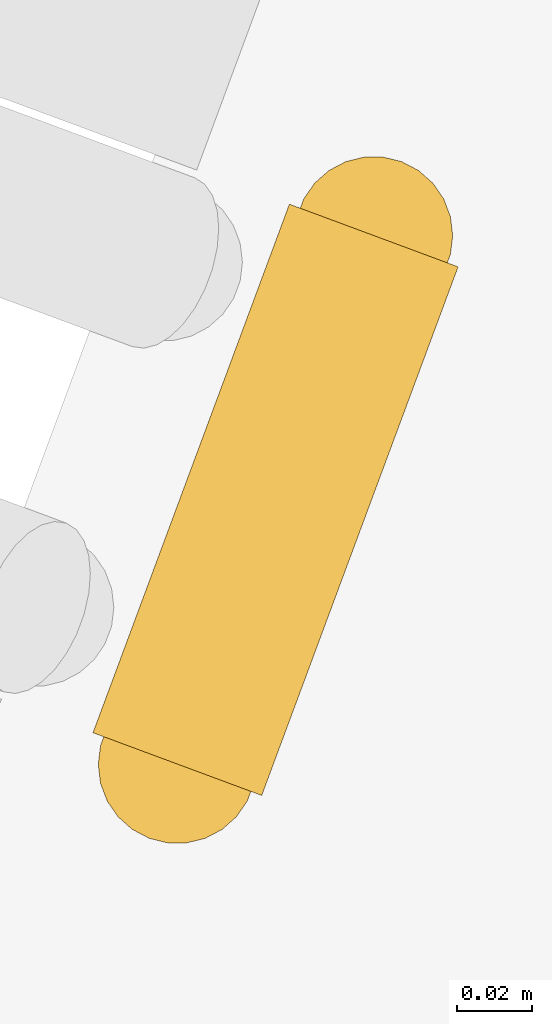
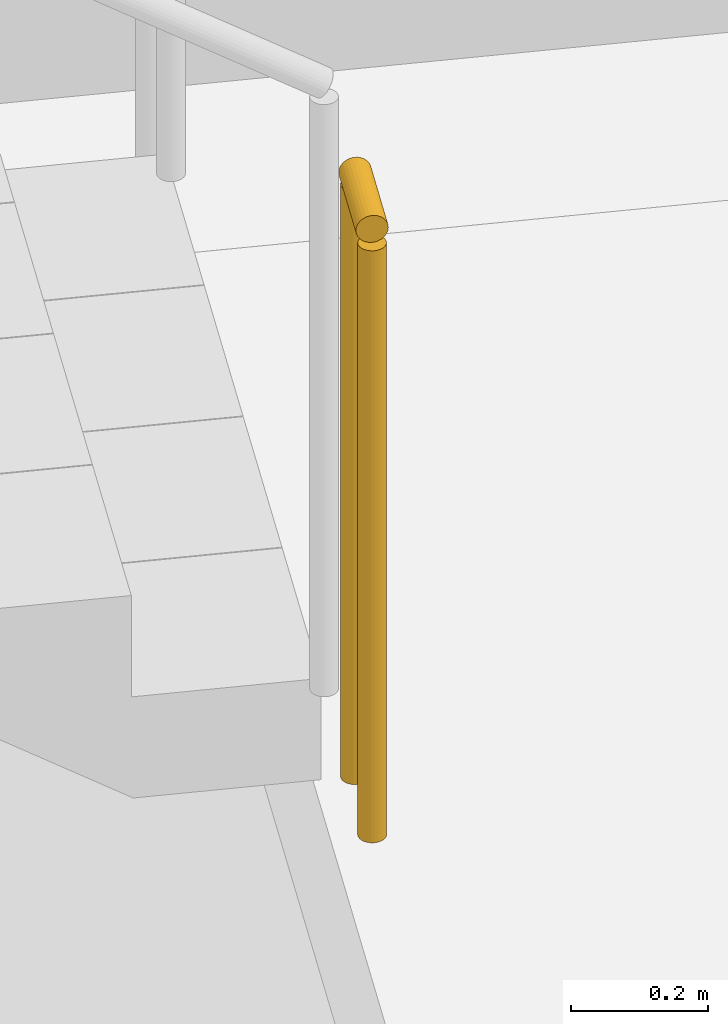
# One storey, part 12 of 20: 1 railing.
"""IFC4 building model written with IfcOpenShell, lengths in metres."""

from ifc_helpers import new_model, si_unit, direction, frame, origin, origin_2d, place, context, subcontext, project, spatial, circle, extrude, material, type_object, element, save


model = new_model("IFC4")

# Units and contexts
model_context = context("Model", 3, precision=1e-05, world=origin(), true_north=direction((0.0, 1.0)))
body_context = subcontext(model_context, "Body", "Model", "MODEL_VIEW")
ifc_project = project(units=[si_unit("LENGTHUNIT", "METRE"), si_unit("AREAUNIT", "SQUARE_METRE"), si_unit("VOLUMEUNIT", "CUBIC_METRE"), si_unit("PLANEANGLEUNIT", "RADIAN"), si_unit("MASSUNIT", "GRAM", prefix="KILO")], contexts=[model_context])

# Site, building, storey
site_placement = place(None, origin())
site = spatial("IfcSite", under=ifc_project, at=site_placement, CompositionType="ELEMENT")
building_placement = place(site_placement, origin())
building = spatial("IfcBuilding", under=site, at=building_placement, Name="Cantera Rosa Tower", CompositionType="ELEMENT")
storey_placement = place(building_placement, frame((0.0, 0.0, 306.10009765625)))
storey = spatial("IfcBuildingStorey", under=building, at=storey_placement, Name="L67", CompositionType="ELEMENT", Elevation=306.10009765625)

# Railing
ifc_material = material(Name="Steel S355J2 (EN 10025-2)", Category="steel")
railing_type = type_object("IfcRailingType", Name="STAIR GUARD 1100", PredefinedType="GUARDRAIL", material=ifc_material)
railing_placement = place(storey_placement, frame((-17.74658203125, -3.71484375, 0.0)))
element("IfcRailing", 1, at=railing_placement, inside=storey, type_object=railing_type, Name="L67 ST-63 stair guard 3", PredefinedType="GUARDRAIL", context=body_context, shape_type="SweptSolid", body=[
    extrude(circle(Radius=0.02392578125, at=origin_2d()), frame((0.0, 0.0, 1.076171875), z_axis=(-0.348268249601, -0.937394914814, 0.0), x_axis=(0.937394914814, -0.348268249601, 0.0)), (0.0, 0.0, 1.0), 0.14990234375),
    extrude(circle(Radius=0.02099609375, at=origin_2d()), origin(), (0.0, 0.0, 1.0), 1.052001953125),
    extrude(circle(Radius=0.02099609375, at=origin_2d()), frame((-0.05224609375, -0.140625, 0.0)), (0.0, 0.0, 1.0), 1.052001953125),
])

save(model, "model.ifc")
